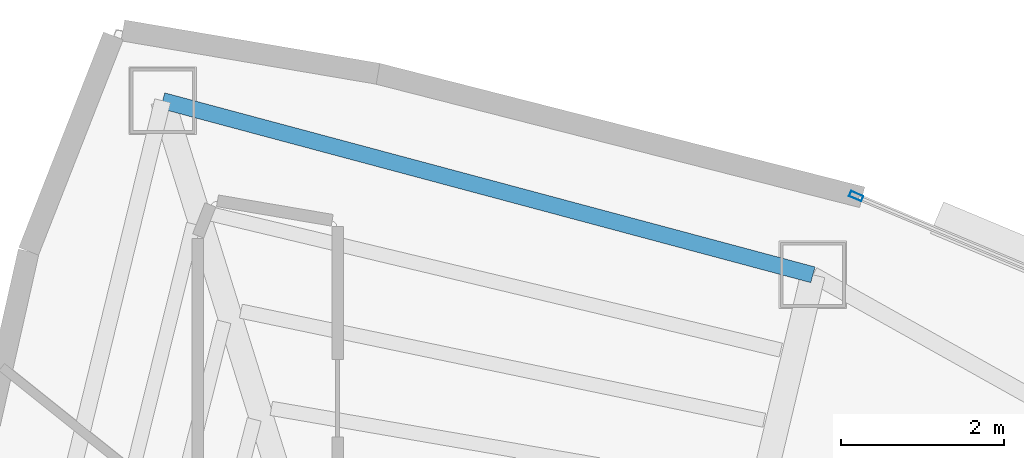
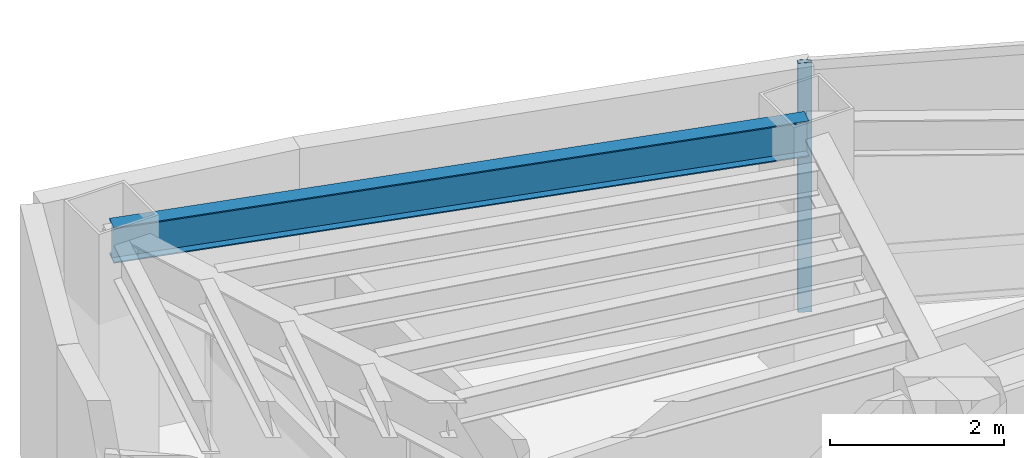
# One storey, part 9 of 15: 1 beam, 1 member, 1 element without a shape of its own.
"""IFC4 building model written with IfcOpenShell, lengths in metres."""

import ifcopenshell
import ifcopenshell.guid

model = None  # the IFC model being written
_history = None  # IfcOwnerHistory: only IFC2X3 demands one
_inside = {}  # id of a spatial element -> (the spatial element, [elements in it])
_under = {}  # id of a project, library or spatial element -> (it, [spatial elements below it])
_declared = {}  # id of a project -> (the project, [libraries it declares])
_typed = {}  # id of a type object -> (the type object, [elements of that type])
_made_of = {}  # id of a material, layer set ... -> (it, [elements and type objects made of it])


def new_model(schema):
    """Start an empty IFC model of exactly this schema.

    Asked for "IFC4X3", IfcOpenShell would pick the latest addendum, in which some entities
    have other attributes; the version numbers below select the first issue.
    IFC2X3 requires an IfcOwnerHistory on every rooted entity: one is made here for all.
    """
    global model, _history
    if schema == "IFC4X3":
        model = ifcopenshell.file(schema_version=(4, 3, 0, 0))
    else:
        model = ifcopenshell.file(schema=schema)
    _inside.clear()
    _under.clear()
    _declared.clear()
    _typed.clear()
    _made_of.clear()
    _history = None
    if model.schema == "IFC2X3":
        org = make("IfcOrganization", Name="unknown")
        user = make(
            "IfcPersonAndOrganization",
            ThePerson=make("IfcPerson", FamilyName="unknown"),
            TheOrganization=org,
        )
        app = make(
            "IfcApplication",
            ApplicationDeveloper=org,
            Version="unknown",
            ApplicationFullName="unknown",
            ApplicationIdentifier="unknown",
        )
        _history = make(
            "IfcOwnerHistory",
            OwningUser=user,
            OwningApplication=app,
            ChangeAction="ADDED",
            CreationDate=0,
        )
    return model


def make(cls, **values):
    """One entity of the class cls with the attributes given. An attribute that is None is left unset."""
    return model.create_entity(
        cls, **{name: value for name, value in values.items() if value is not None}
    )


def rooted(cls, **values):
    """An entity with a GlobalId (a new one), such as an element, a storey or a relation."""
    return make(cls, GlobalId=ifcopenshell.guid.new(), OwnerHistory=_history, **values)


def si_unit(unit_type, name, prefix=None):
    """IfcSIUnit, for example si_unit("LENGTHUNIT", "METRE", prefix="MILLI")."""
    return make("IfcSIUnit", UnitType=unit_type, Prefix=prefix, Name=name)


def assignment(units):
    """IfcUnitAssignment: the units of a project."""
    return None if units is None else make("IfcUnitAssignment", Units=units)


def point(xyz):
    """IfcCartesianPoint."""
    return None if xyz is None else make("IfcCartesianPoint", Coordinates=xyz)


def direction(xyz):
    """IfcDirection."""
    return None if xyz is None else make("IfcDirection", DirectionRatios=xyz)


def frame(location, z_axis=None, x_axis=None):
    """IfcAxis2Placement3D, a coordinate frame: its origin and axes. An axis left out is left unset."""
    return make(
        "IfcAxis2Placement3D",
        Location=point(location),
        Axis=direction(z_axis),
        RefDirection=direction(x_axis),
    )


def frame_2d(location, x_axis=None):
    """IfcAxis2Placement2D, a coordinate frame in the plane: its origin and x axis."""
    return make(
        "IfcAxis2Placement2D", Location=point(location), RefDirection=direction(x_axis)
    )


def origin():
    """The frame at (0, 0, 0) with its axes left unset."""
    return frame((0.0, 0.0, 0.0))


def origin_2d():
    """The frame at (0, 0) in the plane with its x axis left unset."""
    return frame_2d((0.0, 0.0))


def place(relative_to, where):
    """IfcLocalPlacement: puts the frame where relative to a parent placement (None: the world)."""
    return make(
        "IfcLocalPlacement", PlacementRelTo=relative_to, RelativePlacement=where
    )


def context(
    kind, dimensions, precision=None, world=None, true_north=None, identifier=None
):
    """IfcGeometricRepresentationContext, for example the 3D "Model" context."""
    return make(
        "IfcGeometricRepresentationContext",
        ContextIdentifier=identifier,
        ContextType=kind,
        CoordinateSpaceDimension=dimensions,
        Precision=precision,
        WorldCoordinateSystem=world,
        TrueNorth=true_north,
    )


def subcontext(parent, identifier, kind, view, scale=None):
    """IfcGeometricRepresentationSubContext, for example "Body" below "Model"."""
    return make(
        "IfcGeometricRepresentationSubContext",
        ContextIdentifier=identifier,
        ContextType=kind,
        ParentContext=parent,
        TargetScale=scale,
        TargetView=view,
    )


def project(units=None, contexts=None):
    """IfcProject with its units and contexts."""
    return rooted(
        "IfcProject",
        Name="project",
        RepresentationContexts=contexts,
        UnitsInContext=assignment(units),
    )


def spatial(cls, under=None, at=None, **own):
    """A site, building, storey or space (cls), placed at a placement, below another one or the project."""
    s = rooted(cls, ObjectPlacement=at, **own)
    if under is not None:
        _under.setdefault(under.id(), (under, []))[1].append(s)
    return s


def profile(cls, at=None, kind="AREA", **sizes):
    """A parametric profile (cls). Its sizes go by their IFC names, for example OverallWidth=200.0."""
    return make(cls, ProfileType=kind, Position=at, **sizes)


def hollow_rectangle(**sizes):
    """IfcRectangleHollowProfileDef."""
    return profile("IfcRectangleHollowProfileDef", **sizes)


def i_section(**sizes):
    """IfcIShapeProfileDef."""
    return profile("IfcIShapeProfileDef", **sizes)


def extrude(swept, where, along, depth):
    """IfcExtrudedAreaSolid: the profile swept, set in the frame where, extruded along a direction by depth."""
    return make(
        "IfcExtrudedAreaSolid",
        SweptArea=swept,
        Position=where,
        ExtrudedDirection=direction(along),
        Depth=depth,
    )


def shape(context_of_items, identifier, shape_type, items):
    """IfcShapeRepresentation: the items that make up one representation, for example the "Body"."""
    return make(
        "IfcShapeRepresentation",
        ContextOfItems=context_of_items,
        RepresentationIdentifier=identifier,
        RepresentationType=shape_type,
        Items=items,
    )


def material(Name=None, Category=None):
    """IfcMaterial."""
    return make("IfcMaterial", Name=Name, Category=Category)


def layer(
    of_material, thickness, ventilated=None, Name=None, Category=None, Priority=None
):
    """IfcMaterialLayer: one layer of a wall or slab, of a material (None: an air gap)."""
    return make(
        "IfcMaterialLayer",
        Material=of_material,
        LayerThickness=thickness,
        IsVentilated=ventilated,
        Name=Name,
        Category=Category,
        Priority=Priority,
    )


def layer_set(layers, Name=None):
    """IfcMaterialLayerSet."""
    return make("IfcMaterialLayerSet", MaterialLayers=layers, LayerSetName=Name)


def material_profile(
    of_material, cross_section, Name=None, Category=None, Priority=None
):
    """IfcMaterialProfile: a cross section and its material."""
    return make(
        "IfcMaterialProfile",
        Name=Name,
        Material=of_material,
        Profile=cross_section,
        Priority=Priority,
        Category=Category,
    )


def profile_set(profiles, Name=None, composite=None):
    """IfcMaterialProfileSet."""
    return make(
        "IfcMaterialProfileSet",
        Name=Name,
        MaterialProfiles=profiles,
        CompositeProfile=composite,
    )


def made_of(thing, what):
    """Note that an element or type object is made of a material, layer set ...; save() writes the relation."""
    if what is not None:
        _made_of.setdefault(what.id(), (what, []))[1].append(thing)
    return thing


def type_object(cls, material=None, **own):
    """A type object (cls), such as IfcWallType, which elements share."""
    return made_of(rooted(cls, **own), material)


def element(
    cls,
    number,
    at=None,
    inside=None,
    cuts=None,
    type_object=None,
    material=None,
    context=None,
    identifier="Body",
    shape_type=None,
    held_by="IfcProductDefinitionShape",
    body=None,
    shapes=None,
    **own,
):
    """One element of the class cls, such as IfcWall. Its Tag is "e" and its number.

    at: its placement. inside: the storey or other place that contains it. cuts: it is an
    opening in that element (IfcRelVoidsElement). A single representation is given by context,
    identifier, shape_type and body (its items); several are given by shapes. held_by: the class
    of the entity that holds the representations. save() writes the other relations.
    """
    e = rooted(cls, Tag="e%d" % number, ObjectPlacement=at, **own)
    if body is not None:
        shapes = [shape(context, identifier, shape_type, body)]
    if shapes is not None:
        e.Representation = make(held_by, Representations=shapes)
    if inside is not None:
        _inside.setdefault(inside.id(), (inside, []))[1].append(e)
    if cuts is not None:
        rooted(
            "IfcRelVoidsElement", RelatingBuildingElement=cuts, RelatedOpeningElement=e
        )
    if type_object is not None:
        _typed.setdefault(type_object.id(), (type_object, []))[1].append(e)
    return made_of(e, material)


def aggregate(whole, parts):
    """IfcRelAggregates: a whole, such as a stair, and the parts it consists of."""
    return rooted("IfcRelAggregates", RelatingObject=whole, RelatedObjects=parts)


def save(model, path):
    """Write the relations noted so far, then the file.

    IfcRelAggregates (storeys below a building ...), IfcRelContainedInSpatialStructure (elements
    in a storey), IfcRelDefinesByType, IfcRelAssociatesMaterial and IfcRelDeclares: one each for
    every whole, place, type object, material and project.
    """
    for whole, parts in _under.values():
        aggregate(whole, parts)
    for where, things in _inside.values():
        rooted(
            "IfcRelContainedInSpatialStructure",
            RelatedElements=things,
            RelatingStructure=where,
        )
    for kind, things in _typed.values():
        rooted("IfcRelDefinesByType", RelatedObjects=things, RelatingType=kind)
    for what, things in _made_of.values():
        rooted("IfcRelAssociatesMaterial", RelatedObjects=things, RelatingMaterial=what)
    for by, libraries in _declared.values():
        rooted("IfcRelDeclares", RelatingContext=by, RelatedDefinitions=libraries)
    model.write(path)


model = new_model("IFC4")

# Units and contexts
model_context = context("Model", 3, precision=1e-05, world=origin(), true_north=direction((0.0, 1.0)))
body_context = subcontext(model_context, "Body", "Model", "MODEL_VIEW")
ifc_project = project(units=[si_unit("LENGTHUNIT", "METRE"), si_unit("AREAUNIT", "SQUARE_METRE"), si_unit("VOLUMEUNIT", "CUBIC_METRE"), si_unit("PLANEANGLEUNIT", "RADIAN"), si_unit("MASSUNIT", "GRAM", prefix="KILO")], contexts=[model_context])

# Site, building, storey
site_placement = place(None, origin())
site = spatial("IfcSite", under=ifc_project, at=site_placement, CompositionType="ELEMENT")
building_placement = place(site_placement, origin())
building = spatial("IfcBuilding", under=site, at=building_placement, Name="Menara Vayukalpa", CompositionType="ELEMENT")
storey_placement = place(building_placement, frame((0.0, 0.0, 258.300048828125)))
storey = spatial("IfcBuildingStorey", under=building, at=storey_placement, Name="L65", CompositionType="ELEMENT", Elevation=258.300048828125)

# Beam
ifc_material_1 = material(Name="Steel S355", Category="steel")
ifc_material_profile_1 = material_profile(ifc_material_1, i_section(OverallWidth=0.199951171875, OverallDepth=0.5, WebThickness=0.010009765625, FlangeThickness=0.01611328125, at=origin_2d()), Name="WF 500x200x10x16")
ifc_profile_set_1 = profile_set([ifc_material_profile_1], Name="Steel S355")
beam_type = type_object("IfcBeamType", Name="BM-SP3", PredefinedType="SPANDREL", material=ifc_profile_set_1)
beam_placement = place(storey_placement, frame((23.3818359375, 32.40478515625, 3.25), z_axis=(-0.965978332552, 0.258623009494, 0.0), x_axis=(-0.258623009494, -0.965978332552, 0.0)))
element("IfcBeam", 1, at=beam_placement, inside=storey, type_object=beam_type, Name="L65 Perimeter Spandrel Beam SP03", PredefinedType="SPANDREL", context=body_context, shape_type="SweptSolid", body=[
    extrude(i_section(OverallWidth=0.199951171875, OverallDepth=0.5, WebThickness=0.010009765625, FlangeThickness=0.01611328125, at=origin_2d()), origin(), (0.0, 0.0, 1.0), 8.274169921875),
])

# Curtain wall, member
ifc_material_2 = material(Name="Anodised Terracotta Aluminium Alloy 6063-T6", Category="masonry")
ifc_layer = layer(ifc_material_2, 0.1650390625)
ifc_layer_set = layer_set([ifc_layer], Name="Anodised Terracotta Aluminium Alloy 6063-T6")
curtain_wall_type = type_object("IfcCurtainWallType", Name="CW-CW6", PredefinedType="USERDEFINED", material=ifc_layer_set)
curtain_wall_placement = place(storey_placement, origin())
curtain_wall = element("IfcCurtainWall", 2, at=curtain_wall_placement, inside=storey, type_object=curtain_wall_type, Name="L65 Observation and Executive Curtain Wall CW6 05", ObjectType="UNITISED", PredefinedType="USERDEFINED")
ifc_material_3 = material(Name="Anodised Terracotta Aluminium Alloy 6063-T6", Category="masonry")
ifc_material_profile_2 = material_profile(ifc_material_3, hollow_rectangle(XDim=0.070068359375, YDim=0.1650390625, WallThickness=0.00390625, at=origin_2d()), Name="ALU 70x165x4")
ifc_profile_set_2 = profile_set([ifc_material_profile_2], Name="Anodised Terracotta Aluminium Alloy 6063-T6")
member_type = type_object("IfcMemberType", Name="CWM-CW6", PredefinedType="MULLION", material=ifc_profile_set_2)
member_placement = place(storey_placement, frame((23.913330078125, 33.37158203125, 0.0), z_axis=(0.0, 0.0, 1.0), x_axis=(-0.385899911703, -0.922540653927, 0.0)))
member = element("IfcMember", 3, at=member_placement, type_object=member_type, Name="CW6 mullion 3", PredefinedType="MULLION", context=body_context, shape_type="SweptSolid", body=[
    extrude(hollow_rectangle(XDim=0.070068359375, YDim=0.1650390625, WallThickness=0.00390625, at=origin_2d()), origin(), (0.0, 0.0, 1.0), 3.5),
])
aggregate(curtain_wall, [member])

save(model, "model.ifc")
